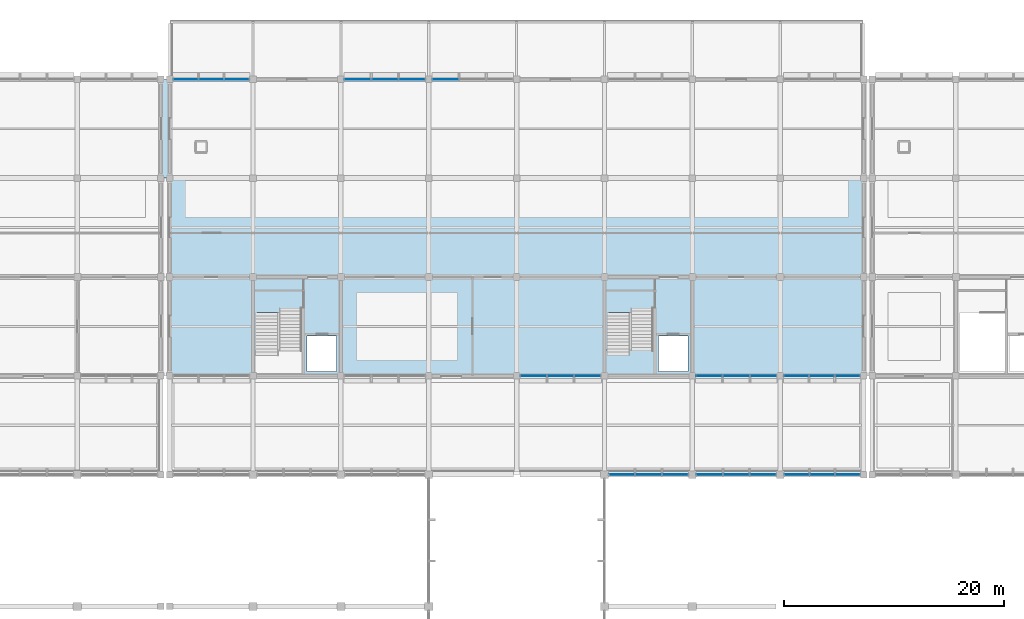
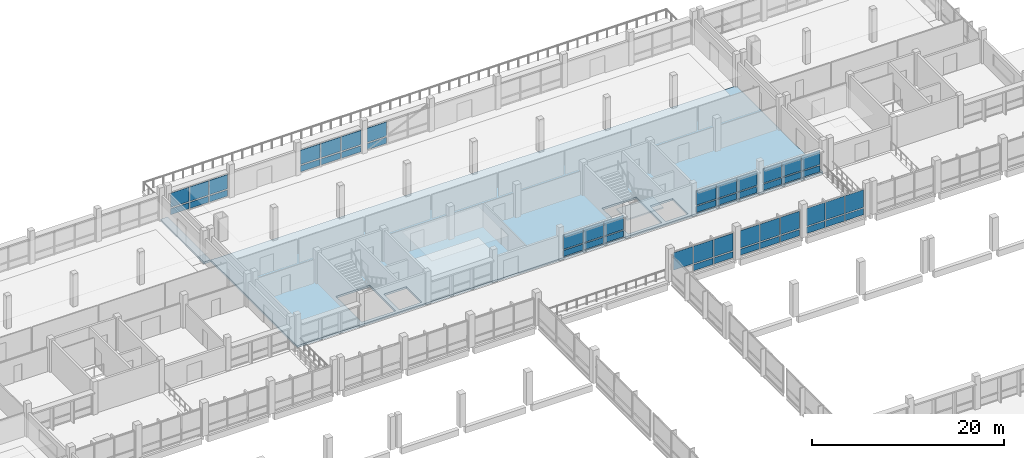
# One storey, part 50 of 70: 49 plates, 3 slabs, 10 elements without a shape of their own.
"""IFC4 building model written with IfcOpenShell, lengths in metres."""

from ifc_helpers import new_model, si_unit, direction, frame, origin, origin_2d, place, context, subcontext, project, spatial, polyline, rectangle, outline, extrude, material, layer, layer_set, type_object, element, aggregate, save


model = new_model("IFC4")

# Units and contexts
model_context = context("Model", 3, precision=1e-05, world=origin(), true_north=direction((0.0, 1.0)))
body_context = subcontext(model_context, "Body", "Model", "MODEL_VIEW")
ifc_project = project(units=[si_unit("LENGTHUNIT", "METRE"), si_unit("AREAUNIT", "SQUARE_METRE"), si_unit("VOLUMEUNIT", "CUBIC_METRE"), si_unit("PLANEANGLEUNIT", "RADIAN"), si_unit("MASSUNIT", "GRAM", prefix="KILO"), si_unit("THERMODYNAMICTEMPERATUREUNIT", "KELVIN"), si_unit("POWERUNIT", "WATT")], contexts=[model_context])

# Site, building, storey
site_placement = place(None, origin())
site = spatial("IfcSite", under=ifc_project, at=site_placement, CompositionType="ELEMENT")
building_placement = place(site_placement, origin())
building = spatial("IfcBuilding", under=site, at=building_placement, Name="Kronsvod Quay Wholesale Market", CompositionType="ELEMENT")
storey_placement = place(building_placement, frame((0.0, 0.0, 9.0)))
storey = spatial("IfcBuildingStorey", under=building, at=storey_placement, Name="L02", CompositionType="ELEMENT", Elevation=9.0)

# Curtain wall, plates
ifc_material_1 = material(Name="Thermally broken aluminium and triple low-E glazing", Category="aluminium")
curtain_wall_type_1 = type_object("IfcCurtainWallType", Name="CW_Clerestory80x32", PredefinedType="NOTDEFINED", material=ifc_material_1)
curtain_wall_1_placement = place(storey_placement, origin())
curtain_wall_1 = element("IfcCurtainWall", 1, at=curtain_wall_1_placement, inside=storey, type_object=curtain_wall_type_1, Name="CWGX-L02-1200-900", PredefinedType="NOTDEFINED")
ifc_material_2 = material(Name="Insulated aluminium spandrel panel", Category="aluminium")
ifc_layer_1 = layer(ifc_material_2, 0.048095703125)
ifc_layer_set_1 = layer_set([ifc_layer_1], Name="Insulated aluminium spandrel panel")
plate_type_1 = type_object("IfcPlateType", Name="CWPanel_SP2223x820", PredefinedType="CURTAIN_PANEL", material=ifc_layer_set_1)
plate_1_placement = place(storey_placement, frame((126.128662109375, 90.0, 0.1201171875), z_axis=(0.0, 0.0, 1.0), x_axis=(-1.0, 0.0, 0.0)))
plate_1 = element("IfcPlate", 2, at=plate_1_placement, type_object=plate_type_1, Name="CWGX-L02-1200-900-PS1", PredefinedType="CURTAIN_PANEL", context=body_context, shape_type="SweptSolid", body=[
    extrude(rectangle(XDim=2.222900390625, YDim=0.048095703125, at=origin_2d()), origin(), (0.0, 0.0, 1.0), 0.820068359375),
])
plate_2_placement = place(storey_placement, frame((121.521240234375, 90.0, 0.1201171875), z_axis=(0.0, 0.0, 1.0), x_axis=(-1.0, 0.0, 0.0)))
plate_2 = element("IfcPlate", 3, at=plate_2_placement, type_object=plate_type_1, Name="CWGX-L02-1200-900-PS3", PredefinedType="CURTAIN_PANEL", context=body_context, shape_type="SweptSolid", body=[
    extrude(rectangle(XDim=2.222900390625, YDim=0.048095703125, at=origin_2d()), origin(), (0.0, 0.0, 1.0), 0.820068359375),
])

ifc_material_3 = material(Name="Thermally broken aluminium and triple low-E glazing", Category="aluminium")
curtain_wall_type_2 = type_object("IfcCurtainWallType", Name="CW_Harbour80x33", PredefinedType="NOTDEFINED", material=ifc_material_3)
curtain_wall_2_placement = place(storey_placement, origin())
curtain_wall_2 = element("IfcCurtainWall", 4, at=curtain_wall_2_placement, inside=storey, type_object=curtain_wall_type_2, Name="CWGX-L02-1200-990", PredefinedType="NOTDEFINED")
ifc_material_4 = material(Name="Insulated aluminium spandrel panel", Category="aluminium")
ifc_layer_2 = layer(ifc_material_4, 0.048095703125)
ifc_layer_set_2 = layer_set([ifc_layer_2], Name="Insulated aluminium spandrel panel")
plate_type_2 = type_object("IfcPlateType", Name="CWPanel_SP2224x775", PredefinedType="CURTAIN_PANEL", material=ifc_layer_set_2)
plate_3_placement = place(storey_placement, frame((121.482177734375, 99.0, 0.150146484375), z_axis=(0.0, 0.0, 1.0), x_axis=(1.0, 0.0, 0.0)))
plate_3 = element("IfcPlate", 5, at=plate_3_placement, type_object=plate_type_2, Name="CWGX-L02-1200-990-PS1", PredefinedType="CURTAIN_PANEL", context=body_context, shape_type="SweptSolid", body=[
    extrude(rectangle(XDim=2.22412109375, YDim=0.048095703125, at=origin_2d()), origin(), (0.0, 0.0, 1.0), 0.77490234375),
])
plate_4_placement = place(storey_placement, frame((126.117919921875, 99.0, 0.150146484375), z_axis=(0.0, 0.0, 1.0), x_axis=(1.0, 0.0, 0.0)))
plate_4 = element("IfcPlate", 6, at=plate_4_placement, type_object=plate_type_2, Name="CWGX-L02-1200-990-PS3", PredefinedType="CURTAIN_PANEL", context=body_context, shape_type="SweptSolid", body=[
    extrude(rectangle(XDim=2.22412109375, YDim=0.048095703125, at=origin_2d()), origin(), (0.0, 0.0, 1.0), 0.77490234375),
])

ifc_material_5 = material(Name="Thermally broken aluminium and triple low-E glazing", Category="aluminium")
curtain_wall_type_3 = type_object("IfcCurtainWallType", Name="CW_Harbour76x33", PredefinedType="NOTDEFINED", material=ifc_material_5)
curtain_wall_3_placement = place(storey_placement, origin())
curtain_wall_3 = element("IfcCurtainWall", 7, at=curtain_wall_3_placement, inside=storey, type_object=curtain_wall_type_3, Name="CWGX-L02-644-1260", PredefinedType="NOTDEFINED")
plate_5_placement = place(storey_placement, frame((70.517822265625, 126.0, 0.150146484375), z_axis=(0.0, 0.0, 1.0), x_axis=(-1.0, 0.0, 0.0)))
plate_5 = element("IfcPlate", 8, at=plate_5_placement, type_object=plate_type_2, Name="CWGX-L02-644-1260-PS1", PredefinedType="CURTAIN_PANEL", context=body_context, shape_type="SweptSolid", body=[
    extrude(rectangle(XDim=2.22412109375, YDim=0.048095703125, at=origin_2d()), origin(), (0.0, 0.0, 1.0), 0.77490234375),
])
plate_6_placement = place(storey_placement, frame((65.882080078125, 126.0, 0.150146484375), z_axis=(0.0, 0.0, 1.0), x_axis=(-1.0, 0.0, 0.0)))
plate_6 = element("IfcPlate", 9, at=plate_6_placement, type_object=plate_type_2, Name="CWGX-L02-644-1260-PS3", PredefinedType="CURTAIN_PANEL", context=body_context, shape_type="SweptSolid", body=[
    extrude(rectangle(XDim=2.22412109375, YDim=0.048095703125, at=origin_2d()), origin(), (0.0, 0.0, 1.0), 0.77490234375),
])

# Plate
ifc_material_6 = material(Name="Insulated aluminium spandrel panel", Category="aluminium")
ifc_layer_3 = layer(ifc_material_6, 0.048095703125)
ifc_layer_set_3 = layer_set([ifc_layer_3], Name="Insulated aluminium spandrel panel")
plate_type_3 = type_object("IfcPlateType", Name="CWPanel_SP2255x820", PredefinedType="CURTAIN_PANEL", material=ifc_layer_set_3)
plate_7_placement = place(storey_placement, frame((123.824951171875, 90.0, 0.1201171875), z_axis=(0.0, 0.0, 1.0), x_axis=(-1.0, 0.0, 0.0)))
plate_7 = element("IfcPlate", 10, at=plate_7_placement, type_object=plate_type_3, Name="CWGX-L02-1200-900-PS2", PredefinedType="CURTAIN_PANEL", context=body_context, shape_type="SweptSolid", body=[
    extrude(rectangle(XDim=2.2548828125, YDim=0.048095703125, at=origin_2d()), origin(), (0.0, 0.0, 1.0), 0.820068359375),
])

ifc_material_7 = material(Name="Insulated aluminium spandrel panel", Category="aluminium")
ifc_layer_4 = layer(ifc_material_7, 0.048095703125)
ifc_layer_set_4 = layer_set([ifc_layer_4], Name="Insulated aluminium spandrel panel")
plate_type_4 = type_object("IfcPlateType", Name="CWPanel_SP2262x775", PredefinedType="CURTAIN_PANEL", material=ifc_layer_set_4)
plate_8_placement = place(storey_placement, frame((123.800048828125, 99.0, 0.150146484375), z_axis=(0.0, 0.0, 1.0), x_axis=(1.0, 0.0, 0.0)))
plate_8 = element("IfcPlate", 11, at=plate_8_placement, type_object=plate_type_4, Name="CWGX-L02-1200-990-PS2", PredefinedType="CURTAIN_PANEL", context=body_context, shape_type="SweptSolid", body=[
    extrude(rectangle(XDim=2.261962890625, YDim=0.048095703125, at=origin_2d()), origin(), (0.0, 0.0, 1.0), 0.77490234375),
])

plate_9_placement = place(storey_placement, frame((68.199951171875, 126.0, 0.150146484375), z_axis=(0.0, 0.0, 1.0), x_axis=(-1.0, 0.0, 0.0)))
plate_9 = element("IfcPlate", 12, at=plate_9_placement, type_object=plate_type_4, Name="CWGX-L02-644-1260-PS2", PredefinedType="CURTAIN_PANEL", context=body_context, shape_type="SweptSolid", body=[
    extrude(rectangle(XDim=2.261962890625, YDim=0.048095703125, at=origin_2d()), origin(), (0.0, 0.0, 1.0), 0.77490234375),
])

# Curtain wall, plate
curtain_wall_4_placement = place(storey_placement, origin())
curtain_wall_4 = element("IfcCurtainWall", 13, at=curtain_wall_4_placement, inside=storey, type_object=curtain_wall_type_1, Name="CWGX-L02-1040-900", PredefinedType="NOTDEFINED")
ifc_material_8 = material(Name="Insulated aluminium spandrel panel", Category="aluminium")
ifc_layer_5 = layer(ifc_material_8, 0.048095703125)
ifc_layer_set_5 = layer_set([ifc_layer_5], Name="Insulated aluminium spandrel panel")
plate_type_5 = type_object("IfcPlateType", Name="CWPanel_SP2324x775", PredefinedType="CURTAIN_PANEL", material=ifc_layer_set_5)
plate_10_placement = place(storey_placement, frame((110.41796875, 90.0, 0.150146484375), z_axis=(0.0, 0.0, 1.0), x_axis=(-1.0, 0.0, 0.0)))
plate_10 = element("IfcPlate", 14, at=plate_10_placement, type_object=plate_type_5, Name="CWGX-L02-1040-900-PS1", PredefinedType="CURTAIN_PANEL", context=body_context, shape_type="SweptSolid", body=[
    extrude(rectangle(XDim=2.323974609375, YDim=0.048095703125, at=origin_2d()), origin(), (0.0, 0.0, 1.0), 0.77490234375),
])

# Curtain wall, plates
curtain_wall_5_placement = place(storey_placement, origin())
curtain_wall_5 = element("IfcCurtainWall", 15, at=curtain_wall_5_placement, inside=storey, type_object=curtain_wall_type_1, Name="CWGX-L02-1120-900", PredefinedType="NOTDEFINED")
plate_11_placement = place(storey_placement, frame((118.41796875, 90.0, 0.150146484375), z_axis=(0.0, 0.0, 1.0), x_axis=(-1.0, 0.0, 0.0)))
plate_11 = element("IfcPlate", 16, at=plate_11_placement, type_object=plate_type_5, Name="CWGX-L02-1120-900-PS1", PredefinedType="CURTAIN_PANEL", context=body_context, shape_type="SweptSolid", body=[
    extrude(rectangle(XDim=2.323974609375, YDim=0.048095703125, at=origin_2d()), origin(), (0.0, 0.0, 1.0), 0.77490234375),
])
plate_12_placement = place(storey_placement, frame((113.58203125, 90.0, 0.150146484375), z_axis=(0.0, 0.0, 1.0), x_axis=(-1.0, 0.0, 0.0)))
plate_12 = element("IfcPlate", 17, at=plate_12_placement, type_object=plate_type_5, Name="CWGX-L02-1120-900-PS3", PredefinedType="CURTAIN_PANEL", context=body_context, shape_type="SweptSolid", body=[
    extrude(rectangle(XDim=2.323974609375, YDim=0.048095703125, at=origin_2d()), origin(), (0.0, 0.0, 1.0), 0.77490234375),
])

# Curtain wall, plate
curtain_wall_6_placement = place(storey_placement, origin())
curtain_wall_6 = element("IfcCurtainWall", 18, at=curtain_wall_6_placement, inside=storey, type_object=curtain_wall_type_2, Name="CWGX-L02-960-990", PredefinedType="NOTDEFINED")
ifc_material_9 = material(Name="Insulated aluminium spandrel panel", Category="aluminium")
ifc_layer_6 = layer(ifc_material_9, 0.048095703125)
ifc_layer_set_6 = layer_set([ifc_layer_6], Name="Insulated aluminium spandrel panel")
plate_type_6 = type_object("IfcPlateType", Name="CWPanel_SP2357x775", PredefinedType="CURTAIN_PANEL", material=ifc_layer_set_6)
plate_13_placement = place(storey_placement, frame((97.548828125, 99.0, 0.150146484375), z_axis=(0.0, 0.0, 1.0), x_axis=(1.0, 0.0, 0.0)))
plate_13 = element("IfcPlate", 19, at=plate_13_placement, type_object=plate_type_6, Name="CWGX-L02-960-990-PS1", PredefinedType="CURTAIN_PANEL", context=body_context, shape_type="SweptSolid", body=[
    extrude(rectangle(XDim=2.35693359375, YDim=0.048095703125, at=origin_2d()), origin(), (0.0, 0.0, 1.0), 0.77490234375),
])

curtain_wall_7_placement = place(storey_placement, origin())
curtain_wall_7 = element("IfcCurtainWall", 20, at=curtain_wall_7_placement, inside=storey, type_object=curtain_wall_type_2, Name="CWGX-L02-1120-990", PredefinedType="NOTDEFINED")
plate_14_placement = place(storey_placement, frame((113.548828125, 99.0, 0.150146484375), z_axis=(0.0, 0.0, 1.0), x_axis=(1.0, 0.0, 0.0)))
plate_14 = element("IfcPlate", 21, at=plate_14_placement, type_object=plate_type_6, Name="CWGX-L02-1120-990-PS1", PredefinedType="CURTAIN_PANEL", context=body_context, shape_type="SweptSolid", body=[
    extrude(rectangle(XDim=2.35693359375, YDim=0.048095703125, at=origin_2d()), origin(), (0.0, 0.0, 1.0), 0.77490234375),
])

curtain_wall_8_placement = place(storey_placement, origin())
curtain_wall_8 = element("IfcCurtainWall", 22, at=curtain_wall_8_placement, inside=storey, type_object=curtain_wall_type_2, Name="CWGX-L02-800-1260", PredefinedType="NOTDEFINED")
plate_15_placement = place(storey_placement, frame((86.451171875, 126.0, 0.150146484375), z_axis=(0.0, 0.0, 1.0), x_axis=(-1.0, 0.0, 0.0)))
plate_15 = element("IfcPlate", 23, at=plate_15_placement, type_object=plate_type_6, Name="CWGX-L02-800-1260-PS1", PredefinedType="CURTAIN_PANEL", context=body_context, shape_type="SweptSolid", body=[
    extrude(rectangle(XDim=2.35693359375, YDim=0.048095703125, at=origin_2d()), origin(), (0.0, 0.0, 1.0), 0.77490234375),
])

# Plate
ifc_material_10 = material(Name="Insulated aluminium spandrel panel", Category="aluminium")
ifc_layer_7 = layer(ifc_material_10, 0.048095703125)
ifc_layer_set_7 = layer_set([ifc_layer_7], Name="Insulated aluminium spandrel panel")
plate_type_7 = type_object("IfcPlateType", Name="CWPanel_SP2358x775", PredefinedType="CURTAIN_PANEL", material=ifc_layer_set_7)
plate_16_placement = place(storey_placement, frame((102.451171875, 99.0, 0.150146484375), z_axis=(0.0, 0.0, 1.0), x_axis=(1.0, 0.0, 0.0)))
plate_16 = element("IfcPlate", 24, at=plate_16_placement, type_object=plate_type_7, Name="CWGX-L02-960-990-PS3", PredefinedType="CURTAIN_PANEL", context=body_context, shape_type="SweptSolid", body=[
    extrude(rectangle(XDim=2.35791015625, YDim=0.048095703125, at=origin_2d()), origin(), (0.0, 0.0, 1.0), 0.77490234375),
])

plate_17_placement = place(storey_placement, frame((118.451171875, 99.0, 0.150146484375), z_axis=(0.0, 0.0, 1.0), x_axis=(1.0, 0.0, 0.0)))
plate_17 = element("IfcPlate", 25, at=plate_17_placement, type_object=plate_type_7, Name="CWGX-L02-1120-990-PS3", PredefinedType="CURTAIN_PANEL", context=body_context, shape_type="SweptSolid", body=[
    extrude(rectangle(XDim=2.35791015625, YDim=0.048095703125, at=origin_2d()), origin(), (0.0, 0.0, 1.0), 0.77490234375),
])

plate_18_placement = place(storey_placement, frame((81.548828125, 126.0, 0.150146484375), z_axis=(0.0, 0.0, 1.0), x_axis=(-1.0, 0.0, 0.0)))
plate_18 = element("IfcPlate", 26, at=plate_18_placement, type_object=plate_type_7, Name="CWGX-L02-800-1260-PS3", PredefinedType="CURTAIN_PANEL", context=body_context, shape_type="SweptSolid", body=[
    extrude(rectangle(XDim=2.35791015625, YDim=0.048095703125, at=origin_2d()), origin(), (0.0, 0.0, 1.0), 0.77490234375),
])

# Curtain wall, plate
curtain_wall_9_placement = place(storey_placement, origin())
curtain_wall_9 = element("IfcCurtainWall", 27, at=curtain_wall_9_placement, inside=storey, type_object=curtain_wall_type_2, Name="CWGX-L02-880-1260", PredefinedType="NOTDEFINED")
plate_19_placement = place(storey_placement, frame((89.548828125, 126.0, 0.150146484375), z_axis=(0.0, 0.0, 1.0), x_axis=(-1.0, 0.0, 0.0)))
plate_19 = element("IfcPlate", 28, at=plate_19_placement, type_object=plate_type_7, Name="CWGX-L02-880-1260-PS3", PredefinedType="CURTAIN_PANEL", context=body_context, shape_type="SweptSolid", body=[
    extrude(rectangle(XDim=2.35791015625, YDim=0.048095703125, at=origin_2d()), origin(), (0.0, 0.0, 1.0), 0.77490234375),
])

# Plate
ifc_material_11 = material(Name="Insulated aluminium spandrel panel", Category="aluminium")
ifc_layer_8 = layer(ifc_material_11, 0.048095703125)
ifc_layer_set_8 = layer_set([ifc_layer_8], Name="Insulated aluminium spandrel panel")
plate_type_8 = type_object("IfcPlateType", Name="CWPanel_SP2362x775", PredefinedType="CURTAIN_PANEL", material=ifc_layer_set_8)
plate_20_placement = place(storey_placement, frame((108.0, 90.0, 0.150146484375), z_axis=(0.0, 0.0, 1.0), x_axis=(-1.0, 0.0, 0.0)))
plate_20 = element("IfcPlate", 29, at=plate_20_placement, type_object=plate_type_8, Name="CWGX-L02-1040-900-PS2", PredefinedType="CURTAIN_PANEL", context=body_context, shape_type="SweptSolid", body=[
    extrude(rectangle(XDim=2.362060546875, YDim=0.048095703125, at=origin_2d()), origin(), (0.0, 0.0, 1.0), 0.77490234375),
])

plate_21_placement = place(storey_placement, frame((116.0, 90.0, 0.150146484375), z_axis=(0.0, 0.0, 1.0), x_axis=(-1.0, 0.0, 0.0)))
plate_21 = element("IfcPlate", 30, at=plate_21_placement, type_object=plate_type_8, Name="CWGX-L02-1120-900-PS2", PredefinedType="CURTAIN_PANEL", context=body_context, shape_type="SweptSolid", body=[
    extrude(rectangle(XDim=2.362060546875, YDim=0.048095703125, at=origin_2d()), origin(), (0.0, 0.0, 1.0), 0.77490234375),
])

ifc_material_12 = material(Name="Insulated aluminium spandrel panel", Category="aluminium")
ifc_layer_9 = layer(ifc_material_12, 0.048095703125)
ifc_layer_set_9 = layer_set([ifc_layer_9], Name="Insulated aluminium spandrel panel")
plate_type_9 = type_object("IfcPlateType", Name="CWPanel_SP2395x775", PredefinedType="CURTAIN_PANEL", material=ifc_layer_set_9)
plate_22_placement = place(storey_placement, frame((100.0, 99.0, 0.150146484375), z_axis=(0.0, 0.0, 1.0), x_axis=(1.0, 0.0, 0.0)))
plate_22 = element("IfcPlate", 31, at=plate_22_placement, type_object=plate_type_9, Name="CWGX-L02-960-990-PS2", PredefinedType="CURTAIN_PANEL", context=body_context, shape_type="SweptSolid", body=[
    extrude(rectangle(XDim=2.39501953125, YDim=0.048095703125, at=origin_2d()), origin(), (0.0, 0.0, 1.0), 0.77490234375),
])

plate_23_placement = place(storey_placement, frame((116.0, 99.0, 0.150146484375), z_axis=(0.0, 0.0, 1.0), x_axis=(1.0, 0.0, 0.0)))
plate_23 = element("IfcPlate", 32, at=plate_23_placement, type_object=plate_type_9, Name="CWGX-L02-1120-990-PS2", PredefinedType="CURTAIN_PANEL", context=body_context, shape_type="SweptSolid", body=[
    extrude(rectangle(XDim=2.39501953125, YDim=0.048095703125, at=origin_2d()), origin(), (0.0, 0.0, 1.0), 0.77490234375),
])

plate_24_placement = place(storey_placement, frame((84.0, 126.0, 0.150146484375), z_axis=(0.0, 0.0, 1.0), x_axis=(-1.0, 0.0, 0.0)))
plate_24 = element("IfcPlate", 33, at=plate_24_placement, type_object=plate_type_9, Name="CWGX-L02-800-1260-PS2", PredefinedType="CURTAIN_PANEL", context=body_context, shape_type="SweptSolid", body=[
    extrude(rectangle(XDim=2.39501953125, YDim=0.048095703125, at=origin_2d()), origin(), (0.0, 0.0, 1.0), 0.77490234375),
])

ifc_material_13 = material(Name="Triple low-E insulated glazing", Category="glass")
ifc_layer_10 = layer(ifc_material_13, 0.0439453125)
ifc_layer_set_10 = layer_set([ifc_layer_10], Name="Triple low-E insulated glazing")
plate_type_10 = type_object("IfcPlateType", Name="CWPanel_VS2223x2240", PredefinedType="CURTAIN_PANEL", material=ifc_layer_set_10)
plate_25_placement = place(storey_placement, frame((126.128662109375, 90.0, 1.06005859375), z_axis=(0.0, 0.0, 1.0), x_axis=(-1.0, 0.0, 0.0)))
plate_25 = element("IfcPlate", 34, at=plate_25_placement, type_object=plate_type_10, Name="CWGX-L02-1200-900-PV1", PredefinedType="CURTAIN_PANEL", context=body_context, shape_type="SweptSolid", body=[
    extrude(rectangle(XDim=2.222900390625, YDim=0.0439453125, at=origin_2d()), origin(), (0.0, 0.0, 1.0), 2.239990234375),
])

plate_26_placement = place(storey_placement, frame((121.521240234375, 90.0, 1.06005859375), z_axis=(0.0, 0.0, 1.0), x_axis=(-1.0, 0.0, 0.0)))
plate_26 = element("IfcPlate", 35, at=plate_26_placement, type_object=plate_type_10, Name="CWGX-L02-1200-900-PV3", PredefinedType="CURTAIN_PANEL", context=body_context, shape_type="SweptSolid", body=[
    extrude(rectangle(XDim=2.222900390625, YDim=0.0439453125, at=origin_2d()), origin(), (0.0, 0.0, 1.0), 2.239990234375),
])

ifc_material_14 = material(Name="Triple low-E insulated glazing", Category="glass")
ifc_layer_11 = layer(ifc_material_14, 0.0439453125)
ifc_layer_set_11 = layer_set([ifc_layer_11], Name="Triple low-E insulated glazing")
plate_type_11 = type_object("IfcPlateType", Name="CWPanel_VS2224x1825", PredefinedType="CURTAIN_PANEL", material=ifc_layer_set_11)
plate_27_placement = place(storey_placement, frame((121.482177734375, 99.0, 1.0751953125), z_axis=(0.0, 0.0, 1.0), x_axis=(1.0, 0.0, 0.0)))
plate_27 = element("IfcPlate", 36, at=plate_27_placement, type_object=plate_type_11, Name="CWGX-L02-1200-990-PV1", PredefinedType="CURTAIN_PANEL", context=body_context, shape_type="SweptSolid", body=[
    extrude(rectangle(XDim=2.22412109375, YDim=0.0439453125, at=origin_2d()), origin(), (0.0, 0.0, 1.0), 1.824951171875),
])

plate_28_placement = place(storey_placement, frame((126.117919921875, 99.0, 1.0751953125), z_axis=(0.0, 0.0, 1.0), x_axis=(1.0, 0.0, 0.0)))
plate_28 = element("IfcPlate", 37, at=plate_28_placement, type_object=plate_type_11, Name="CWGX-L02-1200-990-PV3", PredefinedType="CURTAIN_PANEL", context=body_context, shape_type="SweptSolid", body=[
    extrude(rectangle(XDim=2.22412109375, YDim=0.0439453125, at=origin_2d()), origin(), (0.0, 0.0, 1.0), 1.824951171875),
])

plate_29_placement = place(storey_placement, frame((70.517822265625, 126.0, 1.0751953125), z_axis=(0.0, 0.0, 1.0), x_axis=(-1.0, 0.0, 0.0)))
plate_29 = element("IfcPlate", 38, at=plate_29_placement, type_object=plate_type_11, Name="CWGX-L02-644-1260-PV1", PredefinedType="CURTAIN_PANEL", context=body_context, shape_type="SweptSolid", body=[
    extrude(rectangle(XDim=2.22412109375, YDim=0.0439453125, at=origin_2d()), origin(), (0.0, 0.0, 1.0), 1.824951171875),
])

plate_30_placement = place(storey_placement, frame((65.882080078125, 126.0, 1.0751953125), z_axis=(0.0, 0.0, 1.0), x_axis=(-1.0, 0.0, 0.0)))
plate_30 = element("IfcPlate", 39, at=plate_30_placement, type_object=plate_type_11, Name="CWGX-L02-644-1260-PV3", PredefinedType="CURTAIN_PANEL", context=body_context, shape_type="SweptSolid", body=[
    extrude(rectangle(XDim=2.22412109375, YDim=0.0439453125, at=origin_2d()), origin(), (0.0, 0.0, 1.0), 1.824951171875),
])

ifc_material_15 = material(Name="Triple low-E insulated glazing", Category="glass")
ifc_layer_12 = layer(ifc_material_15, 0.0439453125)
ifc_layer_set_12 = layer_set([ifc_layer_12], Name="Triple low-E insulated glazing")
plate_type_12 = type_object("IfcPlateType", Name="CWPanel_VS2255x2240", PredefinedType="CURTAIN_PANEL", material=ifc_layer_set_12)
plate_31_placement = place(storey_placement, frame((123.824951171875, 90.0, 1.06005859375), z_axis=(0.0, 0.0, 1.0), x_axis=(-1.0, 0.0, 0.0)))
plate_31 = element("IfcPlate", 40, at=plate_31_placement, type_object=plate_type_12, Name="CWGX-L02-1200-900-PV2", PredefinedType="CURTAIN_PANEL", context=body_context, shape_type="SweptSolid", body=[
    extrude(rectangle(XDim=2.2548828125, YDim=0.0439453125, at=origin_2d()), origin(), (0.0, 0.0, 1.0), 2.239990234375),
])

aggregate(curtain_wall_1, [plate_1, plate_25, plate_7, plate_31, plate_2, plate_26])

ifc_material_16 = material(Name="Triple low-E insulated glazing", Category="glass")
ifc_layer_13 = layer(ifc_material_16, 0.0439453125)
ifc_layer_set_13 = layer_set([ifc_layer_13], Name="Triple low-E insulated glazing")
plate_type_13 = type_object("IfcPlateType", Name="CWPanel_VS2262x1825", PredefinedType="CURTAIN_PANEL", material=ifc_layer_set_13)
plate_32_placement = place(storey_placement, frame((123.800048828125, 99.0, 1.0751953125), z_axis=(0.0, 0.0, 1.0), x_axis=(1.0, 0.0, 0.0)))
plate_32 = element("IfcPlate", 41, at=plate_32_placement, type_object=plate_type_13, Name="CWGX-L02-1200-990-PV2", PredefinedType="CURTAIN_PANEL", context=body_context, shape_type="SweptSolid", body=[
    extrude(rectangle(XDim=2.261962890625, YDim=0.0439453125, at=origin_2d()), origin(), (0.0, 0.0, 1.0), 1.824951171875),
])

aggregate(curtain_wall_2, [plate_3, plate_27, plate_8, plate_32, plate_4, plate_28])

plate_33_placement = place(storey_placement, frame((68.199951171875, 126.0, 1.0751953125), z_axis=(0.0, 0.0, 1.0), x_axis=(-1.0, 0.0, 0.0)))
plate_33 = element("IfcPlate", 42, at=plate_33_placement, type_object=plate_type_13, Name="CWGX-L02-644-1260-PV2", PredefinedType="CURTAIN_PANEL", context=body_context, shape_type="SweptSolid", body=[
    extrude(rectangle(XDim=2.261962890625, YDim=0.0439453125, at=origin_2d()), origin(), (0.0, 0.0, 1.0), 1.824951171875),
])

aggregate(curtain_wall_3, [plate_5, plate_29, plate_9, plate_33, plate_6, plate_30])

ifc_material_17 = material(Name="Triple low-E insulated glazing", Category="glass")
ifc_layer_14 = layer(ifc_material_17, 0.0439453125)
ifc_layer_set_14 = layer_set([ifc_layer_14], Name="Triple low-E insulated glazing")
plate_type_14 = type_object("IfcPlateType", Name="CWPanel_VS2324x2195", PredefinedType="CURTAIN_PANEL", material=ifc_layer_set_14)
plate_34_placement = place(storey_placement, frame((110.41796875, 90.0, 1.0751953125), z_axis=(0.0, 0.0, 1.0), x_axis=(-1.0, 0.0, 0.0)))
plate_34 = element("IfcPlate", 43, at=plate_34_placement, type_object=plate_type_14, Name="CWGX-L02-1040-900-PV1", PredefinedType="CURTAIN_PANEL", context=body_context, shape_type="SweptSolid", body=[
    extrude(rectangle(XDim=2.323974609375, YDim=0.0439453125, at=origin_2d()), origin(), (0.0, 0.0, 1.0), 2.195068359375),
])

plate_35_placement = place(storey_placement, frame((105.58203125, 90.0, 1.0751953125), z_axis=(0.0, 0.0, 1.0), x_axis=(-1.0, 0.0, 0.0)))
plate_35 = element("IfcPlate", 44, at=plate_35_placement, type_object=plate_type_14, Name="CWGX-L02-1040-900-PV3", PredefinedType="CURTAIN_PANEL", context=body_context, shape_type="SweptSolid", body=[
    extrude(rectangle(XDim=2.323974609375, YDim=0.0439453125, at=origin_2d()), origin(), (0.0, 0.0, 1.0), 2.195068359375),
])

plate_36_placement = place(storey_placement, frame((118.41796875, 90.0, 1.0751953125), z_axis=(0.0, 0.0, 1.0), x_axis=(-1.0, 0.0, 0.0)))
plate_36 = element("IfcPlate", 45, at=plate_36_placement, type_object=plate_type_14, Name="CWGX-L02-1120-900-PV1", PredefinedType="CURTAIN_PANEL", context=body_context, shape_type="SweptSolid", body=[
    extrude(rectangle(XDim=2.323974609375, YDim=0.0439453125, at=origin_2d()), origin(), (0.0, 0.0, 1.0), 2.195068359375),
])

plate_37_placement = place(storey_placement, frame((113.58203125, 90.0, 1.0751953125), z_axis=(0.0, 0.0, 1.0), x_axis=(-1.0, 0.0, 0.0)))
plate_37 = element("IfcPlate", 46, at=plate_37_placement, type_object=plate_type_14, Name="CWGX-L02-1120-900-PV3", PredefinedType="CURTAIN_PANEL", context=body_context, shape_type="SweptSolid", body=[
    extrude(rectangle(XDim=2.323974609375, YDim=0.0439453125, at=origin_2d()), origin(), (0.0, 0.0, 1.0), 2.195068359375),
])

ifc_material_18 = material(Name="Triple low-E insulated glazing", Category="glass")
ifc_layer_15 = layer(ifc_material_18, 0.0439453125)
ifc_layer_set_15 = layer_set([ifc_layer_15], Name="Triple low-E insulated glazing")
plate_type_15 = type_object("IfcPlateType", Name="CWPanel_VS2357x1825", PredefinedType="CURTAIN_PANEL", material=ifc_layer_set_15)
plate_38_placement = place(storey_placement, frame((97.548828125, 99.0, 1.0751953125), z_axis=(0.0, 0.0, 1.0), x_axis=(1.0, 0.0, 0.0)))
plate_38 = element("IfcPlate", 47, at=plate_38_placement, type_object=plate_type_15, Name="CWGX-L02-960-990-PV1", PredefinedType="CURTAIN_PANEL", context=body_context, shape_type="SweptSolid", body=[
    extrude(rectangle(XDim=2.35693359375, YDim=0.0439453125, at=origin_2d()), origin(), (0.0, 0.0, 1.0), 1.824951171875),
])

plate_39_placement = place(storey_placement, frame((113.548828125, 99.0, 1.0751953125), z_axis=(0.0, 0.0, 1.0), x_axis=(1.0, 0.0, 0.0)))
plate_39 = element("IfcPlate", 48, at=plate_39_placement, type_object=plate_type_15, Name="CWGX-L02-1120-990-PV1", PredefinedType="CURTAIN_PANEL", context=body_context, shape_type="SweptSolid", body=[
    extrude(rectangle(XDim=2.35693359375, YDim=0.0439453125, at=origin_2d()), origin(), (0.0, 0.0, 1.0), 1.824951171875),
])

plate_40_placement = place(storey_placement, frame((86.451171875, 126.0, 1.0751953125), z_axis=(0.0, 0.0, 1.0), x_axis=(-1.0, 0.0, 0.0)))
plate_40 = element("IfcPlate", 49, at=plate_40_placement, type_object=plate_type_15, Name="CWGX-L02-800-1260-PV1", PredefinedType="CURTAIN_PANEL", context=body_context, shape_type="SweptSolid", body=[
    extrude(rectangle(XDim=2.35693359375, YDim=0.0439453125, at=origin_2d()), origin(), (0.0, 0.0, 1.0), 1.824951171875),
])

ifc_material_19 = material(Name="Triple low-E insulated glazing", Category="glass")
ifc_layer_16 = layer(ifc_material_19, 0.0439453125)
ifc_layer_set_16 = layer_set([ifc_layer_16], Name="Triple low-E insulated glazing")
plate_type_16 = type_object("IfcPlateType", Name="CWPanel_VS2358x1825", PredefinedType="CURTAIN_PANEL", material=ifc_layer_set_16)
plate_41_placement = place(storey_placement, frame((102.451171875, 99.0, 1.0751953125), z_axis=(0.0, 0.0, 1.0), x_axis=(1.0, 0.0, 0.0)))
plate_41 = element("IfcPlate", 50, at=plate_41_placement, type_object=plate_type_16, Name="CWGX-L02-960-990-PV3", PredefinedType="CURTAIN_PANEL", context=body_context, shape_type="SweptSolid", body=[
    extrude(rectangle(XDim=2.35791015625, YDim=0.0439453125, at=origin_2d()), origin(), (0.0, 0.0, 1.0), 1.824951171875),
])

plate_42_placement = place(storey_placement, frame((118.451171875, 99.0, 1.0751953125), z_axis=(0.0, 0.0, 1.0), x_axis=(1.0, 0.0, 0.0)))
plate_42 = element("IfcPlate", 51, at=plate_42_placement, type_object=plate_type_16, Name="CWGX-L02-1120-990-PV3", PredefinedType="CURTAIN_PANEL", context=body_context, shape_type="SweptSolid", body=[
    extrude(rectangle(XDim=2.35791015625, YDim=0.0439453125, at=origin_2d()), origin(), (0.0, 0.0, 1.0), 1.824951171875),
])

plate_43_placement = place(storey_placement, frame((81.548828125, 126.0, 1.0751953125), z_axis=(0.0, 0.0, 1.0), x_axis=(-1.0, 0.0, 0.0)))
plate_43 = element("IfcPlate", 52, at=plate_43_placement, type_object=plate_type_16, Name="CWGX-L02-800-1260-PV3", PredefinedType="CURTAIN_PANEL", context=body_context, shape_type="SweptSolid", body=[
    extrude(rectangle(XDim=2.35791015625, YDim=0.0439453125, at=origin_2d()), origin(), (0.0, 0.0, 1.0), 1.824951171875),
])

plate_44_placement = place(storey_placement, frame((89.548828125, 126.0, 1.0751953125), z_axis=(0.0, 0.0, 1.0), x_axis=(-1.0, 0.0, 0.0)))
plate_44 = element("IfcPlate", 53, at=plate_44_placement, type_object=plate_type_16, Name="CWGX-L02-880-1260-PV3", PredefinedType="CURTAIN_PANEL", context=body_context, shape_type="SweptSolid", body=[
    extrude(rectangle(XDim=2.35791015625, YDim=0.0439453125, at=origin_2d()), origin(), (0.0, 0.0, 1.0), 1.824951171875),
])

aggregate(curtain_wall_9, [plate_19, plate_44])

ifc_material_20 = material(Name="Triple low-E insulated glazing", Category="glass")
ifc_layer_17 = layer(ifc_material_20, 0.0439453125)
ifc_layer_set_17 = layer_set([ifc_layer_17], Name="Triple low-E insulated glazing")
plate_type_17 = type_object("IfcPlateType", Name="CWPanel_VS2362x2195", PredefinedType="CURTAIN_PANEL", material=ifc_layer_set_17)
plate_45_placement = place(storey_placement, frame((108.0, 90.0, 1.0751953125), z_axis=(0.0, 0.0, 1.0), x_axis=(-1.0, 0.0, 0.0)))
plate_45 = element("IfcPlate", 54, at=plate_45_placement, type_object=plate_type_17, Name="CWGX-L02-1040-900-PV2", PredefinedType="CURTAIN_PANEL", context=body_context, shape_type="SweptSolid", body=[
    extrude(rectangle(XDim=2.362060546875, YDim=0.0439453125, at=origin_2d()), origin(), (0.0, 0.0, 1.0), 2.195068359375),
])

aggregate(curtain_wall_4, [plate_10, plate_34, plate_20, plate_45, plate_35])

plate_46_placement = place(storey_placement, frame((116.0, 90.0, 1.0751953125), z_axis=(0.0, 0.0, 1.0), x_axis=(-1.0, 0.0, 0.0)))
plate_46 = element("IfcPlate", 55, at=plate_46_placement, type_object=plate_type_17, Name="CWGX-L02-1120-900-PV2", PredefinedType="CURTAIN_PANEL", context=body_context, shape_type="SweptSolid", body=[
    extrude(rectangle(XDim=2.362060546875, YDim=0.0439453125, at=origin_2d()), origin(), (0.0, 0.0, 1.0), 2.195068359375),
])

aggregate(curtain_wall_5, [plate_11, plate_36, plate_21, plate_46, plate_12, plate_37])

ifc_material_21 = material(Name="Triple low-E insulated glazing", Category="glass")
ifc_layer_18 = layer(ifc_material_21, 0.0439453125)
ifc_layer_set_18 = layer_set([ifc_layer_18], Name="Triple low-E insulated glazing")
plate_type_18 = type_object("IfcPlateType", Name="CWPanel_VS2395x1825", PredefinedType="CURTAIN_PANEL", material=ifc_layer_set_18)
plate_47_placement = place(storey_placement, frame((100.0, 99.0, 1.0751953125), z_axis=(0.0, 0.0, 1.0), x_axis=(1.0, 0.0, 0.0)))
plate_47 = element("IfcPlate", 56, at=plate_47_placement, type_object=plate_type_18, Name="CWGX-L02-960-990-PV2", PredefinedType="CURTAIN_PANEL", context=body_context, shape_type="SweptSolid", body=[
    extrude(rectangle(XDim=2.39501953125, YDim=0.0439453125, at=origin_2d()), origin(), (0.0, 0.0, 1.0), 1.824951171875),
])

aggregate(curtain_wall_6, [plate_13, plate_38, plate_22, plate_47, plate_16, plate_41])

plate_48_placement = place(storey_placement, frame((116.0, 99.0, 1.0751953125), z_axis=(0.0, 0.0, 1.0), x_axis=(1.0, 0.0, 0.0)))
plate_48 = element("IfcPlate", 57, at=plate_48_placement, type_object=plate_type_18, Name="CWGX-L02-1120-990-PV2", PredefinedType="CURTAIN_PANEL", context=body_context, shape_type="SweptSolid", body=[
    extrude(rectangle(XDim=2.39501953125, YDim=0.0439453125, at=origin_2d()), origin(), (0.0, 0.0, 1.0), 1.824951171875),
])

aggregate(curtain_wall_7, [plate_14, plate_39, plate_23, plate_48, plate_17, plate_42])

plate_49_placement = place(storey_placement, frame((84.0, 126.0, 1.0751953125), z_axis=(0.0, 0.0, 1.0), x_axis=(-1.0, 0.0, 0.0)))
plate_49 = element("IfcPlate", 58, at=plate_49_placement, type_object=plate_type_18, Name="CWGX-L02-800-1260-PV2", PredefinedType="CURTAIN_PANEL", context=body_context, shape_type="SweptSolid", body=[
    extrude(rectangle(XDim=2.39501953125, YDim=0.0439453125, at=origin_2d()), origin(), (0.0, 0.0, 1.0), 1.824951171875),
])

aggregate(curtain_wall_8, [plate_15, plate_40, plate_24, plate_49, plate_18, plate_43])

# Slabs
ifc_material_22 = material(Name="Concrete C35/45", Category="concrete")
ifc_layer_19 = layer(ifc_material_22, 0.25)
ifc_layer_set_19 = layer_set([ifc_layer_19], Name="Concrete C35/45")
slab_type_1 = type_object("IfcSlabType", Name="Slab_Floor250", PredefinedType="FLOOR", material=ifc_layer_set_19)
slab_1_placement = place(storey_placement, frame((0.0, 0.0, -0.25)))
element("IfcSlab", 59, at=slab_1_placement, inside=storey, type_object=slab_type_1, Name="SLB-L02-119", PredefinedType="FLOOR", context=body_context, shape_type="SweptSolid", body=[
    extrude(outline(polyline([(64.419921875, 99.0), (127.580078125, 99.0), (127.580078125, 117.0), (64.419921875, 117.0), (64.419921875, 99.0)]), holes=[polyline([(72.3798828125, 99.3798828125), (76.4599609375, 99.3798828125), (76.4599609375, 104.75), (72.3798828125, 104.75), (72.3798828125, 99.3798828125)]), polyline([(76.89990234375, 99.3798828125), (79.6201171875, 99.3798828125), (79.6201171875, 102.6201171875), (76.89990234375, 102.6201171875), (76.89990234375, 99.3798828125)]), polyline([(104.3798828125, 99.3798828125), (108.4599609375, 99.3798828125), (108.4599609375, 104.75), (104.3798828125, 104.75), (104.3798828125, 99.3798828125)]), polyline([(108.89990234375, 99.3798828125), (111.6201171875, 99.3798828125), (111.6201171875, 102.6201171875), (108.89990234375, 102.6201171875), (108.89990234375, 99.3798828125)])]), origin(), (0.0, 0.0, 1.0), 0.25),
])
ifc_material_23 = material(Name="Concrete C35/45", Category="concrete")
ifc_layer_20 = layer(ifc_material_23, 0.2451171875)
ifc_layer_set_20 = layer_set([ifc_layer_20], Name="Concrete C35/45")
slab_type_2 = type_object("IfcSlabType", Name="Slab_JointBridge245", PredefinedType="FLOOR", material=ifc_layer_set_20)
slab_2_placement = place(storey_placement, frame((0.0, 0.0, -0.2451171875)))
element("IfcSlab", 60, at=slab_2_placement, inside=storey, type_object=slab_type_2, Name="SLB-MJ-L02-J1-117", PredefinedType="FLOOR", context=body_context, shape_type="SweptSolid", body=[
    extrude(outline(polyline([(63.580078125, 117.0), (64.419921875, 117.0), (64.419921875, 126.0), (63.580078125, 126.0), (63.580078125, 117.0)])), origin(), (0.0, 0.0, 1.0), 0.2451171875),
])

# Stair, slab
ifc_material_24 = material(Name="Concrete C35/45", Category="concrete")
stair_type = type_object("IfcStairType", Name="Stair_CoreV5_28R", PredefinedType="HALF_TURN_STAIR", material=ifc_material_24)
stair_placement = place(storey_placement, origin())
stair = element("IfcStair", 61, at=stair_placement, inside=storey, type_object=stair_type, Name="ST09-L02", PredefinedType="HALF_TURN_STAIR")
ifc_material_25 = material(Name="Concrete C35/45", Category="concrete")
ifc_layer_21 = layer(ifc_material_25, 0.179931640625)
ifc_layer_set_21 = layer_set([ifc_layer_21], Name="Concrete C35/45")
slab_type_3 = type_object("IfcSlabType", Name="Slab_StairLanding180", PredefinedType="LANDING", material=ifc_layer_set_21)
slab_3_placement = place(storey_placement, frame((0.0, 0.0, 1.919921875)))
slab_3 = element("IfcSlab", 62, at=slab_3_placement, type_object=slab_type_3, Name="ST09-L02-LND", PredefinedType="LANDING", context=body_context, shape_type="SweptSolid", body=[
    extrude(outline(polyline([(104.1201171875, 99.1201171875), (108.5, 99.1201171875), (108.5, 101.360107421875), (104.1201171875, 101.360107421875), (104.1201171875, 99.1201171875)])), origin(), (0.0, 0.0, 1.0), 0.18017578125),
])
aggregate(stair, [slab_3])

save(model, "model.ifc")
